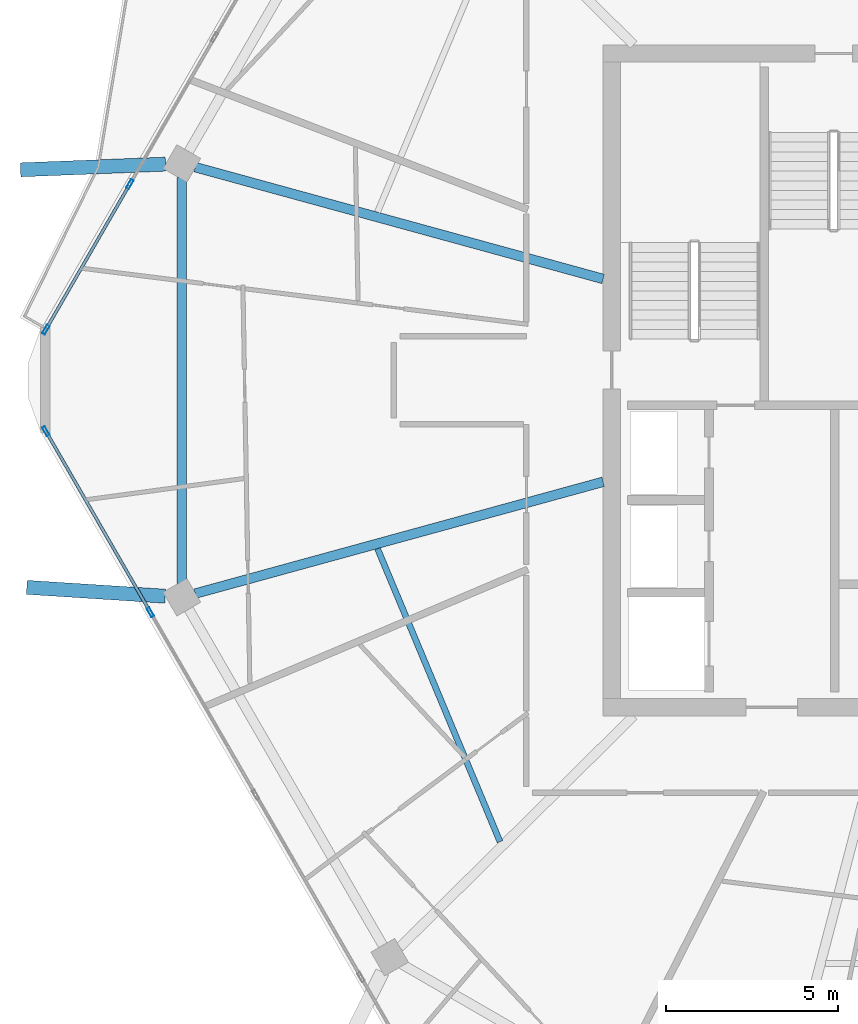
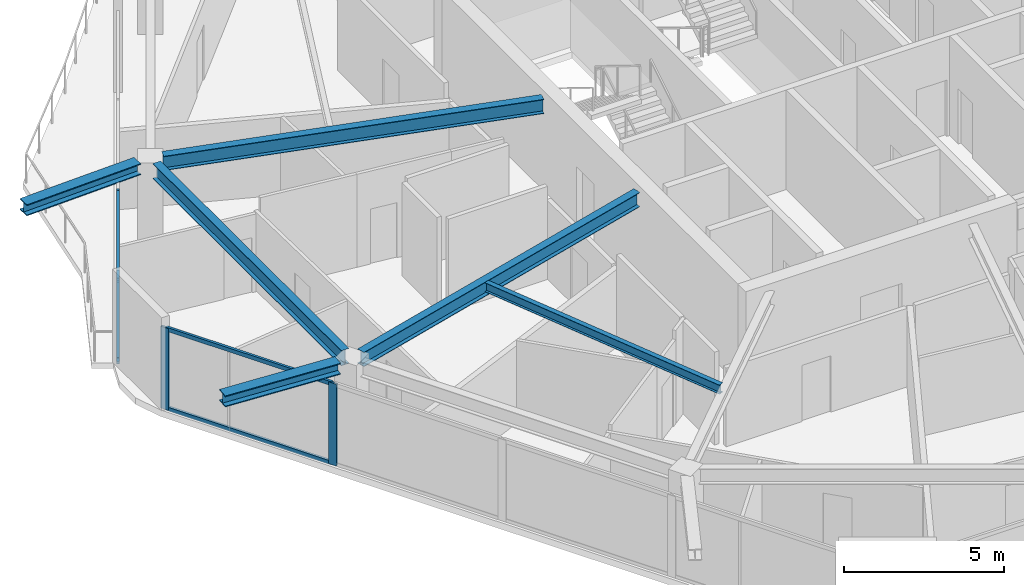
# One storey, part 4 of 19: 8 members, 6 beams, 2 elements without a shape of their own.
"""IFC4 building model written with IfcOpenShell, lengths in metres."""

from ifc_helpers import new_model, si_unit, direction, frame, origin, origin_2d, place, context, subcontext, project, spatial, hollow_rectangle, i_section, extrude, material, material_profile, profile_set, type_object, element, aggregate, save


model = new_model("IFC4")

# Units and contexts
model_context = context("Model", 3, precision=1e-05, world=origin(), true_north=direction((0.0, 1.0)))
body_context = subcontext(model_context, "Body", "Model", "MODEL_VIEW")
ifc_project = project(units=[si_unit("LENGTHUNIT", "METRE"), si_unit("AREAUNIT", "SQUARE_METRE"), si_unit("VOLUMEUNIT", "CUBIC_METRE"), si_unit("PLANEANGLEUNIT", "RADIAN"), si_unit("MASSUNIT", "GRAM", prefix="KILO")], contexts=[model_context])

# Site, building, storey
site_placement = place(None, origin())
site = spatial("IfcSite", under=ifc_project, at=site_placement, CompositionType="ELEMENT")
building_placement = place(site_placement, origin())
building = spatial("IfcBuilding", under=site, at=building_placement, Name="Zuhravey Tower", CompositionType="ELEMENT")
storey_placement = place(building_placement, frame((0.0, 0.0, 327.199951171875)))
storey = spatial("IfcBuildingStorey", under=building, at=storey_placement, Name="L83", CompositionType="ELEMENT", Elevation=327.199951171875)

# Curtain wall, members
ifc_material_1 = material(Name="Thermally broken anodised aluminium", Category="aluminium")
curtain_wall_type = type_object("IfcCurtainWallType", Name="Zone 3-4 High-Rise Curtain Wall CW4", PredefinedType="NOTDEFINED", material=ifc_material_1)
curtain_wall_1_placement = place(storey_placement, origin())
curtain_wall_1 = element("IfcCurtainWall", 1, at=curtain_wall_1_placement, inside=storey, type_object=curtain_wall_type, Name="L83 CW4 CW-L83-F4-1", PredefinedType="NOTDEFINED")
ifc_material_2 = material(Name="Anodised aluminium", Category="aluminium")
ifc_material_profile_1 = material_profile(ifc_material_2, hollow_rectangle(XDim=0.090087890625, YDim=0.284912109375, WallThickness=0.0048828125, at=origin_2d()), Name="ALU-RHS-90x285x5")
ifc_profile_set_1 = profile_set([ifc_material_profile_1], Name="Anodised aluminium")
member_type_1 = type_object("IfcMemberType", Name="Curtain-Wall Mullion 90x180", PredefinedType="MULLION", material=ifc_profile_set_1)
member_1_placement = place(storey_placement, frame((12.09130859375, 25.2626953125, 0.0), z_axis=(0.0, 0.0, 1.0), x_axis=(-0.866025511541, -0.49999981336, 0.0)))
member_1 = element("IfcMember", 2, at=member_1_placement, type_object=member_type_1, Name="CW4 mullion 4", PredefinedType="MULLION", context=body_context, shape_type="SweptSolid", body=[
    extrude(hollow_rectangle(XDim=0.090087890625, YDim=0.284912109375, WallThickness=0.0048828125, at=origin_2d()), origin(), (0.0, 0.0, 1.0), 3.1220703125),
])
member_2_placement = place(storey_placement, frame((9.05419921875, 30.5234375, 0.0), z_axis=(0.0, 0.0, 1.0), x_axis=(-0.866025511541, -0.49999981336, 0.0)))
member_2 = element("IfcMember", 3, at=member_2_placement, type_object=member_type_1, Name="CW4 mullion 5", PredefinedType="MULLION", context=body_context, shape_type="SweptSolid", body=[
    extrude(hollow_rectangle(XDim=0.090087890625, YDim=0.284912109375, WallThickness=0.0048828125, at=origin_2d()), origin(), (0.0, 0.0, 1.0), 3.1220703125),
])

curtain_wall_2_placement = place(storey_placement, origin())
curtain_wall_2 = element("IfcCurtainWall", 4, at=curtain_wall_2_placement, inside=storey, type_object=curtain_wall_type, Name="L83 CW4 CW-L83-F3-1", PredefinedType="NOTDEFINED")
member_3_placement = place(storey_placement, frame((9.05419921875, 33.4765625, 0.0), z_axis=(0.0, 0.0, 1.0), x_axis=(-0.866026966766, 0.499997292826, 0.0)))
member_3 = element("IfcMember", 5, at=member_3_placement, type_object=member_type_1, Name="CW4 mullion 1", PredefinedType="MULLION", context=body_context, shape_type="SweptSolid", body=[
    extrude(hollow_rectangle(XDim=0.090087890625, YDim=0.284912109375, WallThickness=0.0048828125, at=origin_2d()), origin(), (0.0, 0.0, 1.0), 3.1220703125),
])
member_4_placement = place(storey_placement, frame((11.493408203125, 37.70166015625, 0.0), z_axis=(0.0, 0.0, 1.0), x_axis=(-0.866026966766, 0.499997292826, 0.0)))
member_4 = element("IfcMember", 6, at=member_4_placement, type_object=member_type_1, Name="CW4 mullion 2", PredefinedType="MULLION", context=body_context, shape_type="SweptSolid", body=[
    extrude(hollow_rectangle(XDim=0.090087890625, YDim=0.284912109375, WallThickness=0.0048828125, at=origin_2d()), origin(), (0.0, 0.0, 1.0), 3.1220703125),
])

# Member
ifc_material_profile_2 = material_profile(ifc_material_2, hollow_rectangle(XDim=0.090087890625, YDim=0.14990234375, WallThickness=0.0048828125, at=origin_2d()), Name="ALU-RHS-90x150x5")
ifc_profile_set_2 = profile_set([ifc_material_profile_2], Name="Anodised aluminium")
member_type_2 = type_object("IfcMemberType", Name="Curtain-Wall Transom 90x150", PredefinedType="USERDEFINED", material=ifc_profile_set_2)
member_5_placement = place(storey_placement, frame((12.06884765625, 25.3017578125, 0.045166015625), z_axis=(-0.499982594807, 0.866035452444, 0.0), x_axis=(-0.866035452444, -0.499982594807, 0.0)))
member_5 = element("IfcMember", 7, at=member_5_placement, type_object=member_type_2, Name="CW4 transom 4.1", ObjectType="TRANSOM", PredefinedType="USERDEFINED", context=body_context, shape_type="SweptSolid", body=[
    extrude(hollow_rectangle(XDim=0.090087890625, YDim=0.14990234375, WallThickness=0.0048828125, at=origin_2d()), origin(), (0.0, 0.0, 1.0), 5.984619140625),
])

member_6_placement = place(storey_placement, frame((12.06884765625, 25.3017578125, 3.0771484375), z_axis=(-0.499982594807, 0.866035452444, 0.0), x_axis=(-0.866035452444, -0.499982594807, 0.0)))
member_6 = element("IfcMember", 8, at=member_6_placement, type_object=member_type_2, Name="CW4 transom 4.2", ObjectType="TRANSOM", PredefinedType="USERDEFINED", context=body_context, shape_type="SweptSolid", body=[
    extrude(hollow_rectangle(XDim=0.090087890625, YDim=0.14990234375, WallThickness=0.0048828125, at=origin_2d()), origin(), (0.0, 0.0, 1.0), 5.984619140625),
])

aggregate(curtain_wall_1, [member_1, member_2, member_5, member_6])

member_7_placement = place(storey_placement, frame((9.07666015625, 33.515380859375, 0.045166015625), z_axis=(0.499982830763, 0.866035316221, 0.0), x_axis=(-0.866035316221, 0.499982830763, 0.0)))
member_7 = element("IfcMember", 9, at=member_7_placement, type_object=member_type_2, Name="CW4 transom 1.1", ObjectType="TRANSOM", PredefinedType="USERDEFINED", context=body_context, shape_type="SweptSolid", body=[
    extrude(hollow_rectangle(XDim=0.090087890625, YDim=0.14990234375, WallThickness=0.0048828125, at=origin_2d()), origin(), (0.0, 0.0, 1.0), 4.788818359375),
])

member_8_placement = place(storey_placement, frame((9.07666015625, 33.515380859375, 3.0771484375), z_axis=(0.499982830763, 0.866035316221, 0.0), x_axis=(-0.866035316221, 0.499982830763, 0.0)))
member_8 = element("IfcMember", 10, at=member_8_placement, type_object=member_type_2, Name="CW4 transom 1.2", ObjectType="TRANSOM", PredefinedType="USERDEFINED", context=body_context, shape_type="SweptSolid", body=[
    extrude(hollow_rectangle(XDim=0.090087890625, YDim=0.14990234375, WallThickness=0.0048828125, at=origin_2d()), origin(), (0.0, 0.0, 1.0), 4.788818359375),
])

aggregate(curtain_wall_2, [member_3, member_4, member_7, member_8])

# Beams
ifc_material_3 = material(Name="Steel SM460", Category="steel")
ifc_material_profile_3 = material_profile(ifc_material_3, i_section(OverallWidth=0.406982421875, OverallDepth=0.427978515625, WebThickness=0.02001953125, FlangeThickness=0.034912109375, at=origin_2d()), Name="H-428x407x20x35")
ifc_profile_set_3 = profile_set([ifc_material_profile_3], Name="Steel SM460")
beam_type_1 = type_object("IfcBeamType", Name="Exoskeleton Node Tie Beam H428x407", PredefinedType="BEAM", material=ifc_profile_set_3)
beam_1_placement = place(storey_placement, frame((12.530029296875, 38.28369140625, 3.3359375), z_axis=(-0.999232751182, -0.03916514987, 0.0), x_axis=(0.03916514987, -0.999232751182, 0.0)))
element("IfcBeam", 11, at=beam_1_placement, inside=storey, type_object=beam_type_1, Name="L83 Exoskeleton Node Tie NT1-06", PredefinedType="BEAM", context=body_context, shape_type="SweptSolid", body=[
    extrude(i_section(OverallWidth=0.406982421875, OverallDepth=0.427978515625, WebThickness=0.02001953125, FlangeThickness=0.034912109375, at=origin_2d()), origin(), (0.0, 0.0, 1.0), 4.2138671875),
])
beam_2_placement = place(storey_placement, frame((12.52294921875, 25.728515625, 3.3359375), z_axis=(-0.997955458002, 0.063913252485, 0.0), x_axis=(-0.063913252485, -0.997955458002, 0.0)))
element("IfcBeam", 12, at=beam_2_placement, inside=storey, type_object=beam_type_1, Name="L83 Exoskeleton Node Tie NT1-07", PredefinedType="BEAM", context=body_context, shape_type="SweptSolid", body=[
    extrude(i_section(OverallWidth=0.406982421875, OverallDepth=0.427978515625, WebThickness=0.02001953125, FlangeThickness=0.034912109375, at=origin_2d()), origin(), (0.0, 0.0, 1.0), 4.030029296875),
])
ifc_material_4 = material(Name="Steel SM355", Category="steel")
ifc_material_profile_4 = material_profile(ifc_material_4, i_section(OverallWidth=0.280029296875, OverallDepth=0.580078125, WebThickness=0.011962890625, FlangeThickness=0.01904296875, at=origin_2d()), Name="H-580x280x12x19")
ifc_profile_set_4 = profile_set([ifc_material_profile_4], Name="Steel SM355")
beam_type_2 = type_object("IfcBeamType", Name="Perimeter Ring Beam H580x280", PredefinedType="BEAM", material=ifc_profile_set_4)
beam_3_placement = place(storey_placement, frame((13.006591796875, 37.8994140625, 3.260009765625), z_axis=(0.0, -1.0, 0.0), x_axis=(1.0, 0.0, 0.0)))
element("IfcBeam", 13, at=beam_3_placement, inside=storey, type_object=beam_type_2, Name="L83 PB4 BM-L83-PB-06", PredefinedType="BEAM", context=body_context, shape_type="SweptSolid", body=[
    extrude(i_section(OverallWidth=0.280029296875, OverallDepth=0.580078125, WebThickness=0.011962890625, FlangeThickness=0.01904296875, at=origin_2d()), origin(), (0.0, 0.0, 1.0), 11.798828125),
])
ifc_material_profile_5 = material_profile(ifc_material_4, i_section(OverallWidth=0.280029296875, OverallDepth=0.550048828125, WebThickness=0.010986328125, FlangeThickness=0.01806640625, at=origin_2d()), Name="H-550x280x11x18")
ifc_profile_set_5 = profile_set([ifc_material_profile_5], Name="Steel SM355")
beam_type_3 = type_object("IfcBeamType", Name="Radial Primary Girder H550x280", PredefinedType="BEAM", material=ifc_profile_set_5)
for number, where, z_axis, x_axis, name in (
    (14, (25.2470703125, 34.947265625, 3.275146484375), (-0.964427903067, 0.264346022829, 0.0), (-0.264346022829, -0.964427903067, 0.0), "L83 RG4 BM-L83-RAD-06"),
    (15, (25.2470703125, 29.052734375, 3.275146484375), (-0.964427903067, -0.264346022829, 0.0), (0.264346022829, -0.964427903067, 0.0), "L83 RG4 BM-L83-RAD-07"),
):
    element("IfcBeam", number, at=place(storey_placement, frame(where, z_axis=z_axis, x_axis=x_axis)), inside=storey, type_object=beam_type_3, Name=name, PredefinedType="BEAM", context=body_context, shape_type="SweptSolid", body=[
        extrude(i_section(OverallWidth=0.280029296875, OverallDepth=0.550048828125, WebThickness=0.010986328125, FlangeThickness=0.01806640625, at=origin_2d()), origin(), (0.0, 0.0, 1.0), 12.2890625),
    ])
ifc_material_profile_6 = material_profile(ifc_material_4, i_section(OverallWidth=0.175048828125, OverallDepth=0.35009765625, WebThickness=0.007080078125, FlangeThickness=0.010986328125, at=origin_2d()), Name="H-350x175x7x11")
ifc_profile_set_6 = profile_set([ifc_material_profile_6], Name="Steel SM355")
beam_type_4 = type_object("IfcBeamType", Name="Secondary Floor Joist H350x175", PredefinedType="JOIST", material=ifc_profile_set_6)
beam_4_placement = place(storey_placement, frame((18.692626953125, 27.108154296875, 3.375), z_axis=(0.385657891576, -0.922641853953, 0.0), x_axis=(0.922641853953, 0.385657891576, 0.0)))
element("IfcBeam", 16, at=beam_4_placement, inside=storey, type_object=beam_type_4, Name="L83 SJ3 BM-L83-SJ-07-1", PredefinedType="JOIST", context=body_context, shape_type="SweptSolid", body=[
    extrude(i_section(OverallWidth=0.175048828125, OverallDepth=0.35009765625, WebThickness=0.007080078125, FlangeThickness=0.010986328125, at=origin_2d()), origin(), (0.0, 0.0, 1.0), 9.226806640625),
])

save(model, "model.ifc")
